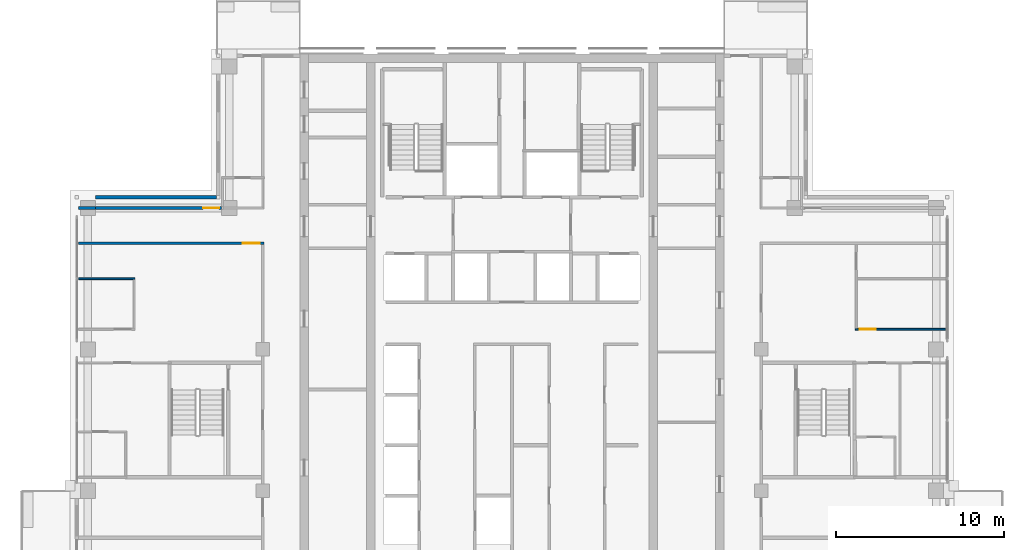
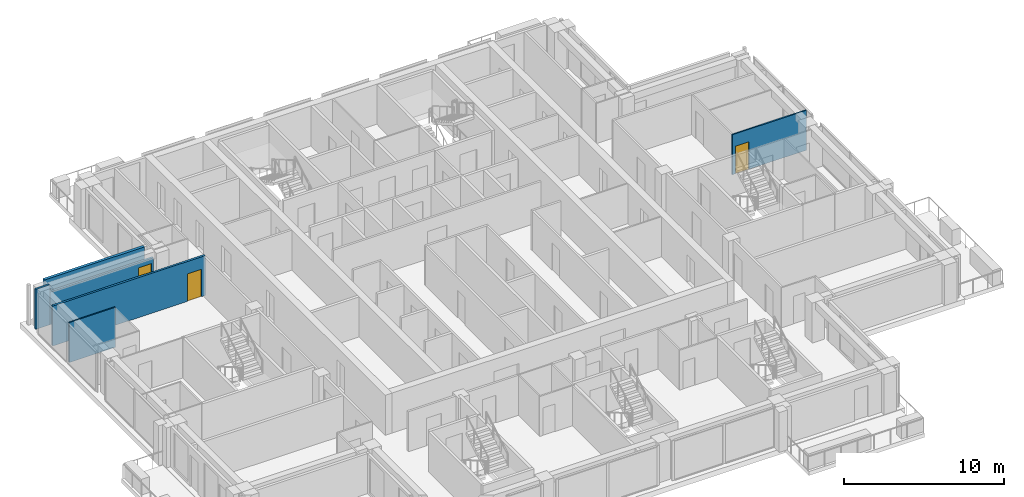
# One storey, part 13 of 19: 6 walls, 3 doors, 3 openings.
"""IFC4 building model written with IfcOpenShell, lengths in metres."""

import ifcopenshell
import ifcopenshell.guid

model = None  # the IFC model being written
_history = None  # IfcOwnerHistory: only IFC2X3 demands one
_inside = {}  # id of a spatial element -> (the spatial element, [elements in it])
_under = {}  # id of a project, library or spatial element -> (it, [spatial elements below it])
_declared = {}  # id of a project -> (the project, [libraries it declares])
_typed = {}  # id of a type object -> (the type object, [elements of that type])
_made_of = {}  # id of a material, layer set ... -> (it, [elements and type objects made of it])


def new_model(schema):
    """Start an empty IFC model of exactly this schema.

    Asked for "IFC4X3", IfcOpenShell would pick the latest addendum, in which some entities
    have other attributes; the version numbers below select the first issue.
    IFC2X3 requires an IfcOwnerHistory on every rooted entity: one is made here for all.
    """
    global model, _history
    if schema == "IFC4X3":
        model = ifcopenshell.file(schema_version=(4, 3, 0, 0))
    else:
        model = ifcopenshell.file(schema=schema)
    _inside.clear()
    _under.clear()
    _declared.clear()
    _typed.clear()
    _made_of.clear()
    _history = None
    if model.schema == "IFC2X3":
        org = make("IfcOrganization", Name="unknown")
        user = make(
            "IfcPersonAndOrganization",
            ThePerson=make("IfcPerson", FamilyName="unknown"),
            TheOrganization=org,
        )
        app = make(
            "IfcApplication",
            ApplicationDeveloper=org,
            Version="unknown",
            ApplicationFullName="unknown",
            ApplicationIdentifier="unknown",
        )
        _history = make(
            "IfcOwnerHistory",
            OwningUser=user,
            OwningApplication=app,
            ChangeAction="ADDED",
            CreationDate=0,
        )
    return model


def make(cls, **values):
    """One entity of the class cls with the attributes given. An attribute that is None is left unset."""
    return model.create_entity(
        cls, **{name: value for name, value in values.items() if value is not None}
    )


def rooted(cls, **values):
    """An entity with a GlobalId (a new one), such as an element, a storey or a relation."""
    return make(cls, GlobalId=ifcopenshell.guid.new(), OwnerHistory=_history, **values)


def si_unit(unit_type, name, prefix=None):
    """IfcSIUnit, for example si_unit("LENGTHUNIT", "METRE", prefix="MILLI")."""
    return make("IfcSIUnit", UnitType=unit_type, Prefix=prefix, Name=name)


def assignment(units):
    """IfcUnitAssignment: the units of a project."""
    return None if units is None else make("IfcUnitAssignment", Units=units)


def point(xyz):
    """IfcCartesianPoint."""
    return None if xyz is None else make("IfcCartesianPoint", Coordinates=xyz)


def direction(xyz):
    """IfcDirection."""
    return None if xyz is None else make("IfcDirection", DirectionRatios=xyz)


def frame(location, z_axis=None, x_axis=None):
    """IfcAxis2Placement3D, a coordinate frame: its origin and axes. An axis left out is left unset."""
    return make(
        "IfcAxis2Placement3D",
        Location=point(location),
        Axis=direction(z_axis),
        RefDirection=direction(x_axis),
    )


def frame_2d(location, x_axis=None):
    """IfcAxis2Placement2D, a coordinate frame in the plane: its origin and x axis."""
    return make(
        "IfcAxis2Placement2D", Location=point(location), RefDirection=direction(x_axis)
    )


def origin():
    """The frame at (0, 0, 0) with its axes left unset."""
    return frame((0.0, 0.0, 0.0))


def place(relative_to, where):
    """IfcLocalPlacement: puts the frame where relative to a parent placement (None: the world)."""
    return make(
        "IfcLocalPlacement", PlacementRelTo=relative_to, RelativePlacement=where
    )


def context(
    kind, dimensions, precision=None, world=None, true_north=None, identifier=None
):
    """IfcGeometricRepresentationContext, for example the 3D "Model" context."""
    return make(
        "IfcGeometricRepresentationContext",
        ContextIdentifier=identifier,
        ContextType=kind,
        CoordinateSpaceDimension=dimensions,
        Precision=precision,
        WorldCoordinateSystem=world,
        TrueNorth=true_north,
    )


def subcontext(parent, identifier, kind, view, scale=None):
    """IfcGeometricRepresentationSubContext, for example "Body" below "Model"."""
    return make(
        "IfcGeometricRepresentationSubContext",
        ContextIdentifier=identifier,
        ContextType=kind,
        ParentContext=parent,
        TargetScale=scale,
        TargetView=view,
    )


def project(units=None, contexts=None):
    """IfcProject with its units and contexts."""
    return rooted(
        "IfcProject",
        Name="project",
        RepresentationContexts=contexts,
        UnitsInContext=assignment(units),
    )


def spatial(cls, under=None, at=None, **own):
    """A site, building, storey or space (cls), placed at a placement, below another one or the project."""
    s = rooted(cls, ObjectPlacement=at, **own)
    if under is not None:
        _under.setdefault(under.id(), (under, []))[1].append(s)
    return s


def profile(cls, at=None, kind="AREA", **sizes):
    """A parametric profile (cls). Its sizes go by their IFC names, for example OverallWidth=200.0."""
    return make(cls, ProfileType=kind, Position=at, **sizes)


def rectangle(**sizes):
    """IfcRectangleProfileDef."""
    return profile("IfcRectangleProfileDef", **sizes)


def extrude(swept, where, along, depth):
    """IfcExtrudedAreaSolid: the profile swept, set in the frame where, extruded along a direction by depth."""
    return make(
        "IfcExtrudedAreaSolid",
        SweptArea=swept,
        Position=where,
        ExtrudedDirection=direction(along),
        Depth=depth,
    )


def shape(context_of_items, identifier, shape_type, items):
    """IfcShapeRepresentation: the items that make up one representation, for example the "Body"."""
    return make(
        "IfcShapeRepresentation",
        ContextOfItems=context_of_items,
        RepresentationIdentifier=identifier,
        RepresentationType=shape_type,
        Items=items,
    )


def material(Name=None, Category=None):
    """IfcMaterial."""
    return make("IfcMaterial", Name=Name, Category=Category)


def layer(
    of_material, thickness, ventilated=None, Name=None, Category=None, Priority=None
):
    """IfcMaterialLayer: one layer of a wall or slab, of a material (None: an air gap)."""
    return make(
        "IfcMaterialLayer",
        Material=of_material,
        LayerThickness=thickness,
        IsVentilated=ventilated,
        Name=Name,
        Category=Category,
        Priority=Priority,
    )


def layer_set(layers, Name=None):
    """IfcMaterialLayerSet."""
    return make("IfcMaterialLayerSet", MaterialLayers=layers, LayerSetName=Name)


def made_of(thing, what):
    """Note that an element or type object is made of a material, layer set ...; save() writes the relation."""
    if what is not None:
        _made_of.setdefault(what.id(), (what, []))[1].append(thing)
    return thing


def type_object(cls, material=None, **own):
    """A type object (cls), such as IfcWallType, which elements share."""
    return made_of(rooted(cls, **own), material)


def element(
    cls,
    number,
    at=None,
    inside=None,
    cuts=None,
    type_object=None,
    material=None,
    context=None,
    identifier="Body",
    shape_type=None,
    held_by="IfcProductDefinitionShape",
    body=None,
    shapes=None,
    **own,
):
    """One element of the class cls, such as IfcWall. Its Tag is "e" and its number.

    at: its placement. inside: the storey or other place that contains it. cuts: it is an
    opening in that element (IfcRelVoidsElement). A single representation is given by context,
    identifier, shape_type and body (its items); several are given by shapes. held_by: the class
    of the entity that holds the representations. save() writes the other relations.
    """
    e = rooted(cls, Tag="e%d" % number, ObjectPlacement=at, **own)
    if body is not None:
        shapes = [shape(context, identifier, shape_type, body)]
    if shapes is not None:
        e.Representation = make(held_by, Representations=shapes)
    if inside is not None:
        _inside.setdefault(inside.id(), (inside, []))[1].append(e)
    if cuts is not None:
        rooted(
            "IfcRelVoidsElement", RelatingBuildingElement=cuts, RelatedOpeningElement=e
        )
    if type_object is not None:
        _typed.setdefault(type_object.id(), (type_object, []))[1].append(e)
    return made_of(e, material)


def fill(opening, filler):
    """IfcRelFillsElement: the door or window that sits in an opening."""
    return rooted(
        "IfcRelFillsElement",
        RelatingOpeningElement=opening,
        RelatedBuildingElement=filler,
    )


def aggregate(whole, parts):
    """IfcRelAggregates: a whole, such as a stair, and the parts it consists of."""
    return rooted("IfcRelAggregates", RelatingObject=whole, RelatedObjects=parts)


def save(model, path):
    """Write the relations noted so far, then the file.

    IfcRelAggregates (storeys below a building ...), IfcRelContainedInSpatialStructure (elements
    in a storey), IfcRelDefinesByType, IfcRelAssociatesMaterial and IfcRelDeclares: one each for
    every whole, place, type object, material and project.
    """
    for whole, parts in _under.values():
        aggregate(whole, parts)
    for where, things in _inside.values():
        rooted(
            "IfcRelContainedInSpatialStructure",
            RelatedElements=things,
            RelatingStructure=where,
        )
    for kind, things in _typed.values():
        rooted("IfcRelDefinesByType", RelatedObjects=things, RelatingType=kind)
    for what, things in _made_of.values():
        rooted("IfcRelAssociatesMaterial", RelatedObjects=things, RelatingMaterial=what)
    for by, libraries in _declared.values():
        rooted("IfcRelDeclares", RelatingContext=by, RelatedDefinitions=libraries)
    model.write(path)


model = new_model("IFC4")

# Units and contexts
model_context = context("Model", 3, precision=1e-05, world=origin(), true_north=direction((0.0, 1.0)))
body_context = subcontext(model_context, "Body", "Model", "MODEL_VIEW")
ifc_project = project(units=[si_unit("LENGTHUNIT", "METRE"), si_unit("AREAUNIT", "SQUARE_METRE"), si_unit("VOLUMEUNIT", "CUBIC_METRE"), si_unit("PLANEANGLEUNIT", "RADIAN"), si_unit("MASSUNIT", "GRAM", prefix="KILO")], contexts=[model_context])

# Site, building, storey
site_placement = place(None, origin())
site = spatial("IfcSite", under=ifc_project, at=site_placement, CompositionType="ELEMENT")
building_placement = place(site_placement, origin())
building = spatial("IfcBuilding", under=site, at=building_placement, Name="Vermilion Ogive Tower", CompositionType="ELEMENT")
storey_placement = place(building_placement, frame((0.0, 0.0, 226.89990234375)))
storey = spatial("IfcBuildingStorey", under=building, at=storey_placement, Name="L59", CompositionType="ELEMENT", Elevation=226.89990234375)

# Wall, opening, door
ifc_material_1 = material(Name="Gypsum board partition on steel studs", Category="steel")
ifc_layer_1 = layer(ifc_material_1, 0.10009765625)
ifc_layer_set_1 = layer_set([ifc_layer_1], Name="Partition 100 inner")
wall_type_1 = type_object("IfcWallType", Name="Partition 100 inner", PredefinedType="PARTITIONING", material=ifc_layer_set_1)
wall_1_placement = place(storey_placement, frame((20.39990234375, 5.39990234375, 0.0), z_axis=(0.0, 0.0, 1.0), x_axis=(1.0, 0.0, 0.0)))
wall_1 = element("IfcWall", 1, at=wall_1_placement, inside=storey, type_object=wall_type_1, Name="L59-W-W028", PredefinedType="PARTITIONING", context=body_context, shape_type="SweptSolid", body=[
    extrude(rectangle(XDim=5.35009765625, YDim=0.10009765625, at=frame_2d((2.675048828125, 0.0))), origin(), (0.0, 0.0, 1.0), 3.050048828125),
])
opening_1_placement = place(wall_1_placement, frame((0.25, 0.0, 0.0)))
opening_1 = element("IfcOpeningElement", 2, at=opening_1_placement, cuts=wall_1, Name="Opening D5G1016", PredefinedType="OPENING", context=body_context, shape_type="SweptSolid", body=[
    extrude(rectangle(XDim=0.949951171875, YDim=2.10009765625, at=frame_2d((0.47509765625, 1.050048828125))), frame((0.0, 0.06005859375, 0.0), z_axis=(0.0, -1.0, 0.0), x_axis=(1.0, 0.0, 0.0)), (0.0, 0.0, 1.0), 0.1201171875),
])
ifc_material_2 = material(Name="Timber door leaf", Category="wood")
door_type_1 = type_object("IfcDoorType", Name="Inner door 950 x 2100 FD30", OperationType="SINGLE_SWING_LEFT", PredefinedType="DOOR", material=ifc_material_2)
door_1_placement = place(opening_1_placement, origin())
door_1 = element("IfcDoor", 3, at=door_1_placement, inside=storey, type_object=door_type_1, Name="L59-D-D016", OperationType="SINGLE_SWING_LEFT", OverallHeight=2.10009765625, OverallWidth=0.949951171875, PredefinedType="DOOR", context=body_context, shape_type="SweptSolid", body=[
    extrude(rectangle(XDim=0.949951171875, YDim=2.10009765625, at=frame_2d((0.47509765625, 1.050048828125))), frame((0.0, 0.02490234375, 0.0), z_axis=(0.0, -1.0, 0.0), x_axis=(1.0, 0.0, 0.0)), (0.0, 0.0, 1.0), 0.050048828125),
])
fill(opening_1, door_1)

# Wall
wall_2_placement = place(storey_placement, frame((-25.75, 8.39990234375, 0.0), z_axis=(0.0, 0.0, 1.0), x_axis=(1.0, 0.0, 0.0)))
element("IfcWall", 4, at=wall_2_placement, inside=storey, type_object=wall_type_1, Name="L59-W-W029", PredefinedType="PARTITIONING", context=body_context, shape_type="SweptSolid", body=[
    extrude(rectangle(XDim=3.35009765625, YDim=0.10009765625, at=frame_2d((1.675048828125, 0.0))), origin(), (0.0, 0.0, 1.0), 3.050048828125),
])

# Wall, opening, door
ifc_material_3 = material(Name="Gypsum board partition on steel studs", Category="steel")
ifc_layer_2 = layer(ifc_material_3, 0.14990234375)
ifc_layer_set_2 = layer_set([ifc_layer_2], Name="Partition 150 corridor")
wall_type_2 = type_object("IfcWallType", Name="Partition 150 corridor", PredefinedType="PARTITIONING", material=ifc_layer_set_2)
wall_3_placement = place(storey_placement, frame((-25.75, 10.5, 0.0), z_axis=(0.0, 0.0, 1.0), x_axis=(1.0, 0.0, 0.0)))
wall_3 = element("IfcWall", 5, at=wall_3_placement, inside=storey, type_object=wall_type_2, Name="L59-W-W031", PredefinedType="PARTITIONING", context=body_context, shape_type="SweptSolid", body=[
    extrude(rectangle(XDim=11.02490234375, YDim=0.14990234375, at=frame_2d((5.512451171875, 0.0))), origin(), (0.0, 0.0, 1.0), 3.050048828125),
])
opening_2_placement = place(wall_3_placement, frame((9.75, 0.0, 0.0)))
opening_2 = element("IfcOpeningElement", 6, at=opening_2_placement, cuts=wall_3, Name="Opening D5G1004", PredefinedType="OPENING", context=body_context, shape_type="SweptSolid", body=[
    extrude(rectangle(XDim=1.0, YDim=2.10009765625, at=frame_2d((0.5, 1.050048828125))), frame((0.0, 0.0849609375, 0.0), z_axis=(0.0, -1.0, 0.0), x_axis=(1.0, 0.0, 0.0)), (0.0, 0.0, 1.0), 0.169921875),
])
ifc_material_4 = material(Name="Timber door leaf", Category="wood")
door_type_2 = type_object("IfcDoorType", Name="Unit door 1000 x 2100 FD30S", OperationType="SINGLE_SWING_LEFT", PredefinedType="DOOR", material=ifc_material_4)
door_2_placement = place(opening_2_placement, origin())
door_2 = element("IfcDoor", 7, at=door_2_placement, inside=storey, type_object=door_type_2, Name="L59-D-D004", OperationType="SINGLE_SWING_RIGHT", OverallHeight=2.10009765625, OverallWidth=1.0, PredefinedType="DOOR", context=body_context, shape_type="SweptSolid", body=[
    extrude(rectangle(XDim=1.0, YDim=2.10009765625, at=frame_2d((0.5, 1.050048828125))), frame((0.0, 0.02490234375, 0.0), z_axis=(0.0, -1.0, 0.0), x_axis=(1.0, 0.0, 0.0)), (0.0, 0.0, 1.0), 0.050048828125),
])
fill(opening_2, door_2)

# Wall
wall_4_placement = place(storey_placement, frame((-25.75, 12.60009765625, 0.0), z_axis=(0.0, 0.0, 1.0), x_axis=(1.0, 0.0, 0.0)))
element("IfcWall", 8, at=wall_4_placement, inside=storey, type_object=wall_type_2, Name="L59-W-W033", PredefinedType="PARTITIONING", context=body_context, shape_type="SweptSolid", body=[
    extrude(rectangle(XDim=1.0, YDim=0.14990234375, at=frame_2d((0.5, 0.0))), origin(), (0.0, 0.0, 1.0), 3.050048828125),
])

# Wall, opening, door
wall_5_placement = place(storey_placement, frame((-24.75, 12.60009765625, 0.0), z_axis=(0.0, 0.0, 1.0), x_axis=(1.0, 0.0, 0.0)))
wall_5 = element("IfcWall", 9, at=wall_5_placement, inside=storey, type_object=wall_type_2, Name="L59-W-W033-h1", PredefinedType="PARTITIONING", context=body_context, shape_type="SweptSolid", body=[
    extrude(rectangle(XDim=7.5, YDim=0.14990234375, at=frame_2d((3.75, 0.0))), origin(), (0.0, 0.0, 1.0), 2.5),
])
opening_3_placement = place(wall_5_placement, frame((6.39990234375, 0.0, 0.0)))
opening_3 = element("IfcOpeningElement", 10, at=opening_3_placement, cuts=wall_5, Name="Opening D5G1007", PredefinedType="OPENING", context=body_context, shape_type="SweptSolid", body=[
    extrude(rectangle(XDim=0.949951171875, YDim=2.10009765625, at=frame_2d((0.47509765625, 1.050048828125))), frame((0.0, 0.0849609375, 0.0), z_axis=(0.0, -1.0, 0.0), x_axis=(1.0, 0.0, 0.0)), (0.0, 0.0, 1.0), 0.169921875),
])
ifc_material_5 = material(Name="Timber door leaf", Category="wood")
door_type_3 = type_object("IfcDoorType", Name="Unit door 950 x 2100 FD30S", OperationType="SINGLE_SWING_LEFT", PredefinedType="DOOR", material=ifc_material_5)
door_3_placement = place(opening_3_placement, origin())
door_3 = element("IfcDoor", 11, at=door_3_placement, inside=storey, type_object=door_type_3, Name="L59-D-D007", OperationType="SINGLE_SWING_LEFT", OverallHeight=2.10009765625, OverallWidth=0.949951171875, PredefinedType="DOOR", context=body_context, shape_type="SweptSolid", body=[
    extrude(rectangle(XDim=0.949951171875, YDim=2.10009765625, at=frame_2d((0.47509765625, 1.050048828125))), frame((0.0, 0.02490234375, 0.0), z_axis=(0.0, -1.0, 0.0), x_axis=(1.0, 0.0, 0.0)), (0.0, 0.0, 1.0), 0.050048828125),
])
fill(opening_3, door_3)

# Wall
ifc_material_6 = material(Name="Aluminium window wall framing", Category="aluminium")
ifc_layer_3 = layer(ifc_material_6, 0.199951171875)
ifc_layer_set_3 = layer_set([ifc_layer_3], Name="Window wall")
wall_type_3 = type_object("IfcWallType", Name="Window wall", PredefinedType="STANDARD", material=ifc_layer_set_3)
wall_6_placement = place(storey_placement, frame((-17.550048828125, 13.25, 0.0), z_axis=(0.0, 0.0, 1.0), x_axis=(-1.0, 0.0, 0.0)))
element("IfcWall", 12, at=wall_6_placement, inside=storey, type_object=wall_type_3, Name="Window wall X61", PredefinedType="STANDARD", context=body_context, shape_type="SweptSolid", body=[
    extrude(rectangle(XDim=7.199951171875, YDim=0.199951171875, at=frame_2d((3.60009765625, 0.0))), origin(), (0.0, 0.0, 1.0), 3.050048828125),
])

save(model, "model.ifc")
